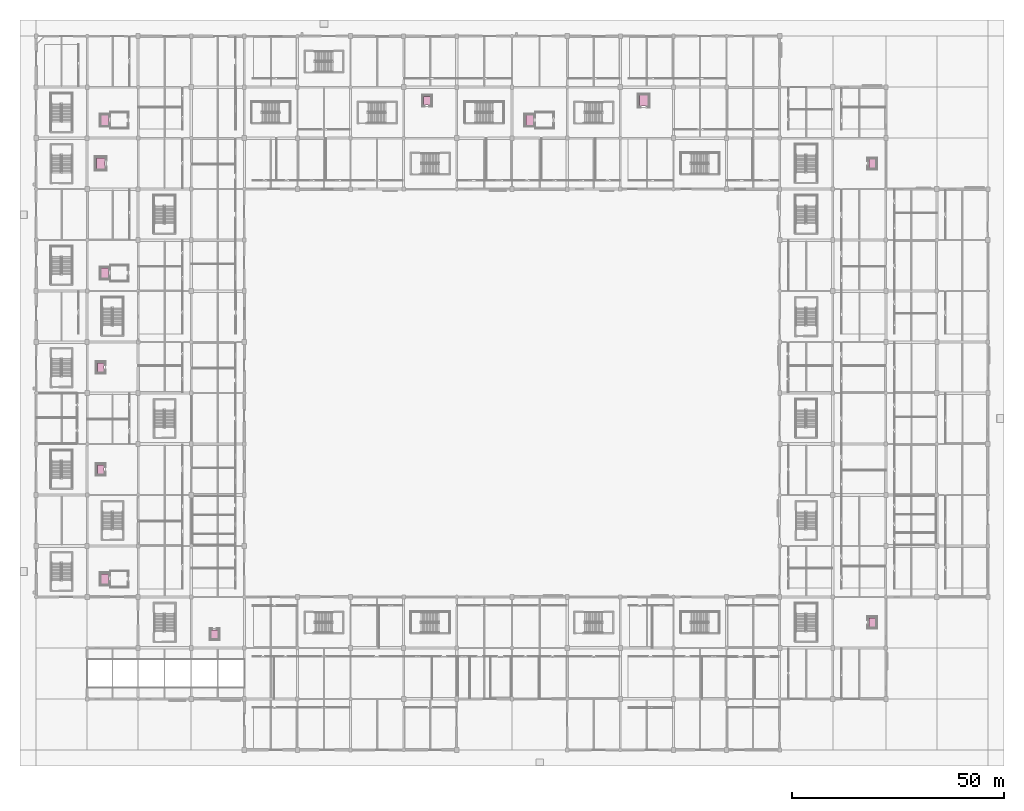
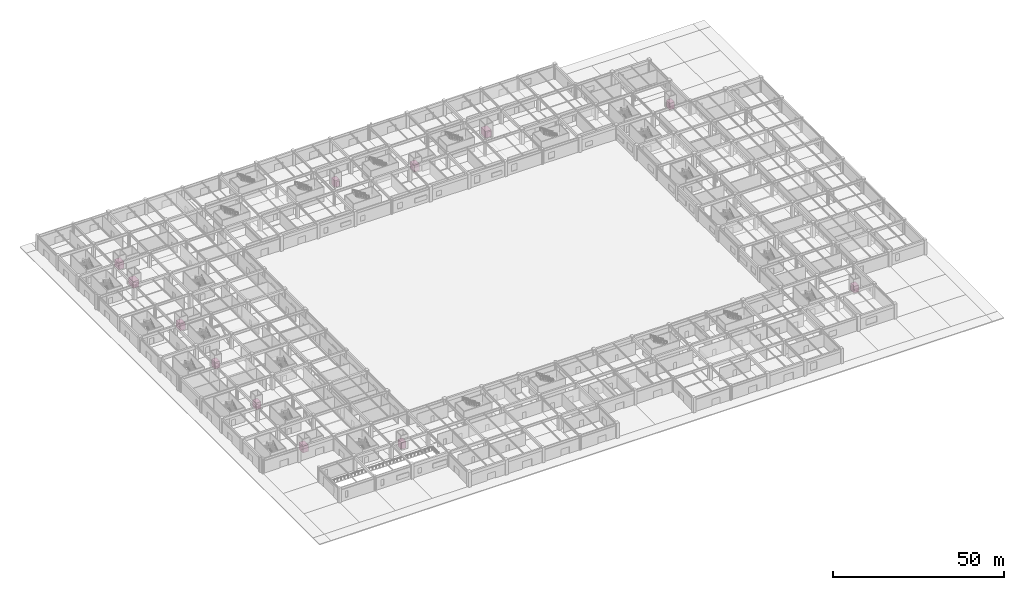
# One storey, part 69 of 69: 12 transport elements.
"""IFC4 building model written with IfcOpenShell, lengths in metres."""

from ifc_helpers import new_model, si_unit, direction, frame, origin, origin_2d, place, context, subcontext, project, spatial, rectangle, extrude, material, type_object, element, save


model = new_model("IFC4")

# Units and contexts
model_context = context("Model", 3, precision=1e-05, world=origin(), true_north=direction((0.0, 1.0)))
body_context = subcontext(model_context, "Body", "Model", "MODEL_VIEW")
ifc_project = project(units=[si_unit("LENGTHUNIT", "METRE"), si_unit("AREAUNIT", "SQUARE_METRE"), si_unit("VOLUMEUNIT", "CUBIC_METRE"), si_unit("PLANEANGLEUNIT", "RADIAN"), si_unit("MASSUNIT", "GRAM", prefix="KILO")], contexts=[model_context])

# Site, building, storey
site_placement = place(None, origin())
site = spatial("IfcSite", under=ifc_project, at=site_placement, CompositionType="ELEMENT")
building_placement = place(site_placement, origin())
building = spatial("IfcBuilding", under=site, at=building_placement, Name="Kazenohara Klinker Stadium", CompositionType="ELEMENT")
storey_placement = place(building_placement, origin())
storey = spatial("IfcBuildingStorey", under=building, at=storey_placement, Name="L00", CompositionType="ELEMENT", Elevation=0.0)

# Transport elements
ifc_material_1 = material(Name="Brushed stainless steel fire-service lift car", Category="steel")
transport_element_type_1 = type_object("IfcTransportElementType", Name="LFT-FF-1600", PredefinedType="ELEVATOR", material=ifc_material_1)
for number, where, z_axis, x_axis, name in (
    (1, (16.199951171875, 40.199951171875, 0.0), (0.0, 0.0, 1.0), (1.0, 0.0, 0.0), "Elevator LF01 car"),
    (2, (16.199951171875, 112.199951171875, 0.0), (0.0, 0.0, 1.0), (1.0, 0.0, 0.0), "Elevator LF02 car"),
    (3, (16.199951171875, 148.199951171875, 0.0), (0.0, 0.0, 1.0), (1.0, 0.0, 0.0), "Elevator LF03 car"),
    (4, (116.199951171875, 148.199951171875, 0.0), (0.0, 0.0, 1.0), (1.0, 0.0, 0.0), "Elevator LF04 car"),
):
    element("IfcTransportElement", number, at=place(storey_placement, frame(where, z_axis=z_axis, x_axis=x_axis)), inside=storey, type_object=transport_element_type_1, Name=name, PredefinedType="ELEVATOR", context=body_context, shape_type="SweptSolid", body=[
        extrude(rectangle(XDim=1.800048828125, YDim=2.39990234375, at=origin_2d()), origin(), (0.0, 0.0, 1.0), 2.39990234375),
    ])
ifc_material_2 = material(Name="Heavy-duty checker-plate goods lift car", Category="metal")
transport_element_type_2 = type_object("IfcTransportElementType", Name="LFT-GD-2500", PredefinedType="ELEVATOR", material=ifc_material_2)
for number, where, z_axis, x_axis, name in (
    (5, (15.199951171875, 138.0, 0.0), (0.0, 0.0, 1.0), (1.0, 0.0, 0.0), "Elevator LG01 car"),
    (6, (143.0, 152.800048828125, 0.0), (0.0, 0.0, 1.0), (1.0, 0.0, 0.0), "Elevator LG02 car"),
):
    element("IfcTransportElement", number, at=place(storey_placement, frame(where, z_axis=z_axis, x_axis=x_axis)), inside=storey, type_object=transport_element_type_2, Name=name, PredefinedType="ELEVATOR", context=body_context, shape_type="SweptSolid", body=[
        extrude(rectangle(XDim=2.0, YDim=2.60009765625, at=origin_2d()), origin(), (0.0, 0.0, 1.0), 2.39990234375),
    ])
ifc_material_3 = material(Name="Stainless steel and bronze passenger lift car", Category="steel")
transport_element_type_3 = type_object("IfcTransportElementType", Name="LFT-PS-1350", PredefinedType="ELEVATOR", material=ifc_material_3)
for number, where, z_axis, x_axis, name in (
    (7, (15.199951171875, 66.0, 0.0), (0.0, 0.0, 1.0), (1.0, 0.0, 0.0), "Elevator LP01 car"),
    (8, (15.199951171875, 90.0, 0.0), (0.0, 0.0, 1.0), (1.0, 0.0, 0.0), "Elevator LP02 car"),
    (9, (42.0, 27.199951171875, 0.0), (0.0, 0.0, 1.0), (1.0, 0.0, 0.0), "Elevator LP03 car"),
    (10, (92.0, 152.800048828125, 0.0), (0.0, 0.0, 1.0), (1.0, 0.0, 0.0), "Elevator LP04 car"),
    (11, (196.800048828125, 138.0, 0.0), (0.0, 0.0, 1.0), (1.0, 0.0, 0.0), "Elevator LP05 car"),
    (12, (196.800048828125, 30.0, 0.0), (0.0, 0.0, 1.0), (1.0, 0.0, 0.0), "Elevator LP06 car"),
):
    element("IfcTransportElement", number, at=place(storey_placement, frame(where, z_axis=z_axis, x_axis=x_axis)), inside=storey, type_object=transport_element_type_3, Name=name, PredefinedType="ELEVATOR", context=body_context, shape_type="SweptSolid", body=[
        extrude(rectangle(XDim=1.60009765625, YDim=2.10009765625, at=origin_2d()), origin(), (0.0, 0.0, 1.0), 2.39990234375),
    ])

save(model, "model.ifc")
